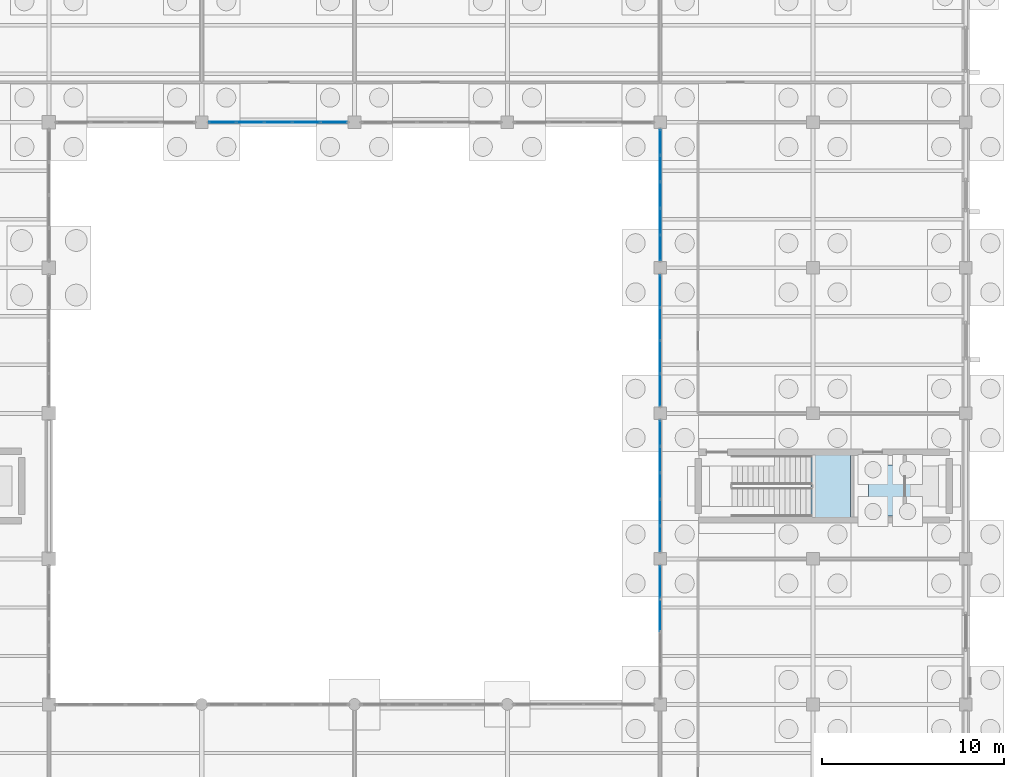
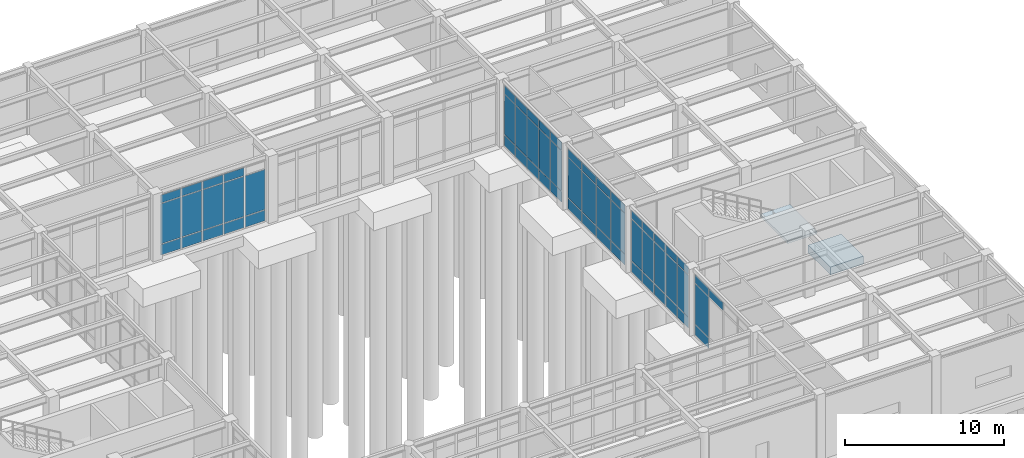
# One storey, part 73 of 138: 60 plates, 2 slabs, 6 elements without a shape of their own.
"""IFC4 building model written with IfcOpenShell, lengths in metres."""

from ifc_helpers import new_model, si_unit, direction, frame, origin, origin_2d, place, context, subcontext, project, spatial, polyline, rectangle, outline, extrude, material, layer, layer_set, type_object, element, aggregate, save


model = new_model("IFC4")

# Units and contexts
model_context = context("Model", 3, precision=1e-05, world=origin(), true_north=direction((0.0, 1.0)))
body_context = subcontext(model_context, "Body", "Model", "MODEL_VIEW")
ifc_project = project(units=[si_unit("LENGTHUNIT", "METRE"), si_unit("AREAUNIT", "SQUARE_METRE"), si_unit("VOLUMEUNIT", "CUBIC_METRE"), si_unit("PLANEANGLEUNIT", "RADIAN"), si_unit("MASSUNIT", "GRAM", prefix="KILO")], contexts=[model_context])

# Site, building, storey
site_placement = place(None, origin())
site = spatial("IfcSite", under=ifc_project, at=site_placement, CompositionType="ELEMENT")
building_placement = place(site_placement, origin())
building = spatial("IfcBuilding", under=site, at=building_placement, Name="Kranzveld Transit Interchange", CompositionType="ELEMENT")
storey_placement = place(building_placement, origin())
storey = spatial("IfcBuildingStorey", under=building, at=storey_placement, Name="L00", CompositionType="ELEMENT", Elevation=0.0)

# Curtain wall, plates
ifc_material_1 = material(Name="Bronze-anodised thermally broken aluminium", Category="aluminium")
ifc_layer_1 = layer(ifc_material_1, 0.159912109375)
ifc_layer_set_1 = layer_set([ifc_layer_1], Name="Bronze-anodised thermally broken aluminium")
curtain_wall_type_1 = type_object("IfcCurtainWallType", Name="Bus Boarding Glazed Screen CW-3", PredefinedType="USERDEFINED", material=ifc_layer_set_1)
curtain_wall_1_placement = place(storey_placement, origin())
curtain_wall_1 = element("IfcCurtainWall", 1, at=curtain_wall_1_placement, inside=storey, type_object=curtain_wall_type_1, Name="L00 Curtain Wall 19/L-19/M", ObjectType="CURTAIN WALL", PredefinedType="USERDEFINED")
ifc_material_2 = material(Name="Solar-control double glazing", Category="glass")
ifc_layer_2 = layer(ifc_material_2, 0.031982421875)
ifc_layer_set_2 = layer_set([ifc_layer_2], Name="Solar-control double glazing")
plate_type_1 = type_object("IfcPlateType", Name="Curtain Panel Acoustic Glazing 32", PredefinedType="CURTAIN_PANEL", material=ifc_layer_set_2)
plate_1_placement = place(storey_placement, frame((151.199951171875, 81.277587890625, 0.06005859375), z_axis=(0.0, 0.0, 1.0), x_axis=(0.0, 1.0, 0.0)))
plate_1 = element("IfcPlate", 2, at=plate_1_placement, type_object=plate_type_1, Name="CW-3 panel 1.1", PredefinedType="CURTAIN_PANEL", context=body_context, shape_type="SweptSolid", body=[
    extrude(rectangle(XDim=1.735107421875, YDim=0.031982421875, at=origin_2d()), origin(), (0.0, 0.0, 1.0), 0.81005859375),
])
plate_2_placement = place(storey_placement, frame((151.199951171875, 81.277587890625, 0.929931640625), z_axis=(0.0, 0.0, 1.0), x_axis=(0.0, 1.0, 0.0)))
plate_2 = element("IfcPlate", 3, at=plate_2_placement, type_object=plate_type_1, Name="CW-3 panel 1.2", PredefinedType="CURTAIN_PANEL", context=body_context, shape_type="SweptSolid", body=[
    extrude(rectangle(XDim=1.735107421875, YDim=0.031982421875, at=origin_2d()), origin(), (0.0, 0.0, 1.0), 3.08740234375),
])
plate_3_placement = place(storey_placement, frame((151.199951171875, 81.277587890625, 4.0771484375), z_axis=(0.0, 0.0, 1.0), x_axis=(0.0, 1.0, 0.0)))
plate_3 = element("IfcPlate", 4, at=plate_3_placement, type_object=plate_type_1, Name="CW-3 panel 1.3", PredefinedType="CURTAIN_PANEL", context=body_context, shape_type="SweptSolid", body=[
    extrude(rectangle(XDim=1.735107421875, YDim=0.031982421875, at=origin_2d()), origin(), (0.0, 0.0, 1.0), 0.610107421875),
])
plate_4_placement = place(storey_placement, frame((151.199951171875, 83.08740234375, 0.06005859375), z_axis=(0.0, 0.0, 1.0), x_axis=(0.0, 1.0, 0.0)))
plate_4 = element("IfcPlate", 5, at=plate_4_placement, type_object=plate_type_1, Name="CW-3 panel 2.1", PredefinedType="CURTAIN_PANEL", context=body_context, shape_type="SweptSolid", body=[
    extrude(rectangle(XDim=1.764892578125, YDim=0.031982421875, at=origin_2d()), origin(), (0.0, 0.0, 1.0), 0.81005859375),
])
plate_5_placement = place(storey_placement, frame((151.199951171875, 83.08740234375, 0.929931640625), z_axis=(0.0, 0.0, 1.0), x_axis=(0.0, 1.0, 0.0)))
plate_5 = element("IfcPlate", 6, at=plate_5_placement, type_object=plate_type_1, Name="CW-3 panel 2.2", PredefinedType="CURTAIN_PANEL", context=body_context, shape_type="SweptSolid", body=[
    extrude(rectangle(XDim=1.764892578125, YDim=0.031982421875, at=origin_2d()), origin(), (0.0, 0.0, 1.0), 3.08740234375),
])
plate_6_placement = place(storey_placement, frame((151.199951171875, 83.08740234375, 4.0771484375), z_axis=(0.0, 0.0, 1.0), x_axis=(0.0, 1.0, 0.0)))
plate_6 = element("IfcPlate", 7, at=plate_6_placement, type_object=plate_type_1, Name="CW-3 panel 2.3", PredefinedType="CURTAIN_PANEL", context=body_context, shape_type="SweptSolid", body=[
    extrude(rectangle(XDim=1.764892578125, YDim=0.031982421875, at=origin_2d()), origin(), (0.0, 0.0, 1.0), 0.610107421875),
])
plate_7_placement = place(storey_placement, frame((151.199951171875, 84.91259765625, 0.06005859375), z_axis=(0.0, 0.0, 1.0), x_axis=(0.0, 1.0, 0.0)))
plate_7 = element("IfcPlate", 8, at=plate_7_placement, type_object=plate_type_1, Name="CW-3 panel 3.1", PredefinedType="CURTAIN_PANEL", context=body_context, shape_type="SweptSolid", body=[
    extrude(rectangle(XDim=1.764892578125, YDim=0.031982421875, at=origin_2d()), origin(), (0.0, 0.0, 1.0), 0.81005859375),
])
plate_8_placement = place(storey_placement, frame((151.199951171875, 84.91259765625, 0.929931640625), z_axis=(0.0, 0.0, 1.0), x_axis=(0.0, 1.0, 0.0)))
plate_8 = element("IfcPlate", 9, at=plate_8_placement, type_object=plate_type_1, Name="CW-3 panel 3.2", PredefinedType="CURTAIN_PANEL", context=body_context, shape_type="SweptSolid", body=[
    extrude(rectangle(XDim=1.764892578125, YDim=0.031982421875, at=origin_2d()), origin(), (0.0, 0.0, 1.0), 3.08740234375),
])
plate_9_placement = place(storey_placement, frame((151.199951171875, 84.91259765625, 4.0771484375), z_axis=(0.0, 0.0, 1.0), x_axis=(0.0, 1.0, 0.0)))
plate_9 = element("IfcPlate", 10, at=plate_9_placement, type_object=plate_type_1, Name="CW-3 panel 3.3", PredefinedType="CURTAIN_PANEL", context=body_context, shape_type="SweptSolid", body=[
    extrude(rectangle(XDim=1.764892578125, YDim=0.031982421875, at=origin_2d()), origin(), (0.0, 0.0, 1.0), 0.610107421875),
])
plate_10_placement = place(storey_placement, frame((151.199951171875, 86.722412109375, 0.06005859375), z_axis=(0.0, 0.0, 1.0), x_axis=(0.0, 1.0, 0.0)))
plate_10 = element("IfcPlate", 11, at=plate_10_placement, type_object=plate_type_1, Name="CW-3 panel 4.1", PredefinedType="CURTAIN_PANEL", context=body_context, shape_type="SweptSolid", body=[
    extrude(rectangle(XDim=1.735107421875, YDim=0.031982421875, at=origin_2d()), origin(), (0.0, 0.0, 1.0), 0.81005859375),
])
plate_11_placement = place(storey_placement, frame((151.199951171875, 86.722412109375, 0.929931640625), z_axis=(0.0, 0.0, 1.0), x_axis=(0.0, 1.0, 0.0)))
plate_11 = element("IfcPlate", 12, at=plate_11_placement, type_object=plate_type_1, Name="CW-3 panel 4.2", PredefinedType="CURTAIN_PANEL", context=body_context, shape_type="SweptSolid", body=[
    extrude(rectangle(XDim=1.735107421875, YDim=0.031982421875, at=origin_2d()), origin(), (0.0, 0.0, 1.0), 3.08740234375),
])
plate_12_placement = place(storey_placement, frame((151.199951171875, 86.722412109375, 4.0771484375), z_axis=(0.0, 0.0, 1.0), x_axis=(0.0, 1.0, 0.0)))
plate_12 = element("IfcPlate", 13, at=plate_12_placement, type_object=plate_type_1, Name="CW-3 panel 4.3", PredefinedType="CURTAIN_PANEL", context=body_context, shape_type="SweptSolid", body=[
    extrude(rectangle(XDim=1.735107421875, YDim=0.031982421875, at=origin_2d()), origin(), (0.0, 0.0, 1.0), 0.610107421875),
])
aggregate(curtain_wall_1, [plate_1, plate_2, plate_3, plate_4, plate_5, plate_6, plate_7, plate_8, plate_9, plate_10, plate_11, plate_12])

ifc_material_3 = material(Name="Bronze-anodised thermally broken aluminium", Category="aluminium")
ifc_layer_3 = layer(ifc_material_3, 0.1650390625)
ifc_layer_set_3 = layer_set([ifc_layer_3], Name="Bronze-anodised thermally broken aluminium")
curtain_wall_type_2 = type_object("IfcCurtainWallType", Name="Sunny Court Arcade Curtain Wall CW-2", PredefinedType="USERDEFINED", material=ifc_layer_set_3)
curtain_wall_2_placement = place(storey_placement, origin())
curtain_wall_2 = element("IfcCurtainWall", 14, at=curtain_wall_2_placement, inside=storey, type_object=curtain_wall_type_2, Name="L00 Curtain Wall 19/K-19/L", ObjectType="CURTAIN WALL", PredefinedType="USERDEFINED")
ifc_material_4 = material(Name="Solar-control double glazing", Category="glass")
ifc_layer_4 = layer(ifc_material_4, 0.02392578125)
ifc_layer_set_4 = layer_set([ifc_layer_4], Name="Solar-control double glazing")
plate_type_2 = type_object("IfcPlateType", Name="Curtain Panel Clear Glazing 24", PredefinedType="CURTAIN_PANEL", material=ifc_layer_set_4)
plate_13_placement = place(storey_placement, frame((151.199951171875, 73.09619140625, 0.06005859375), z_axis=(0.0, 0.0, 1.0), x_axis=(0.0, 1.0, 0.0)))
plate_13 = element("IfcPlate", 15, at=plate_13_placement, type_object=plate_type_2, Name="CW-2 panel 1.1", PredefinedType="CURTAIN_PANEL", context=body_context, shape_type="SweptSolid", body=[
    extrude(rectangle(XDim=1.362548828125, YDim=0.02392578125, at=origin_2d()), origin(), (0.0, 0.0, 1.0), 0.81005859375),
])
plate_14_placement = place(storey_placement, frame((151.199951171875, 73.09619140625, 0.929931640625), z_axis=(0.0, 0.0, 1.0), x_axis=(0.0, 1.0, 0.0)))
plate_14 = element("IfcPlate", 16, at=plate_14_placement, type_object=plate_type_2, Name="CW-2 panel 1.2", PredefinedType="CURTAIN_PANEL", context=body_context, shape_type="SweptSolid", body=[
    extrude(rectangle(XDim=1.362548828125, YDim=0.02392578125, at=origin_2d()), origin(), (0.0, 0.0, 1.0), 3.18994140625),
])
plate_15_placement = place(storey_placement, frame((151.199951171875, 73.09619140625, 4.18017578125), z_axis=(0.0, 0.0, 1.0), x_axis=(0.0, 1.0, 0.0)))
plate_15 = element("IfcPlate", 17, at=plate_15_placement, type_object=plate_type_2, Name="CW-2 panel 1.3", PredefinedType="CURTAIN_PANEL", context=body_context, shape_type="SweptSolid", body=[
    extrude(rectangle(XDim=1.362548828125, YDim=0.02392578125, at=origin_2d()), origin(), (0.0, 0.0, 1.0), 0.610107421875),
])
plate_16_placement = place(storey_placement, frame((151.199951171875, 74.5400390625, 0.06005859375), z_axis=(0.0, 0.0, 1.0), x_axis=(0.0, 1.0, 0.0)))
plate_16 = element("IfcPlate", 18, at=plate_16_placement, type_object=plate_type_2, Name="CW-2 panel 2.1", PredefinedType="CURTAIN_PANEL", context=body_context, shape_type="SweptSolid", body=[
    extrude(rectangle(XDim=1.39501953125, YDim=0.02392578125, at=origin_2d()), origin(), (0.0, 0.0, 1.0), 0.81005859375),
])
plate_17_placement = place(storey_placement, frame((151.199951171875, 74.5400390625, 0.929931640625), z_axis=(0.0, 0.0, 1.0), x_axis=(0.0, 1.0, 0.0)))
plate_17 = element("IfcPlate", 19, at=plate_17_placement, type_object=plate_type_2, Name="CW-2 panel 2.2", PredefinedType="CURTAIN_PANEL", context=body_context, shape_type="SweptSolid", body=[
    extrude(rectangle(XDim=1.39501953125, YDim=0.02392578125, at=origin_2d()), origin(), (0.0, 0.0, 1.0), 3.18994140625),
])
plate_18_placement = place(storey_placement, frame((151.199951171875, 74.5400390625, 4.18017578125), z_axis=(0.0, 0.0, 1.0), x_axis=(0.0, 1.0, 0.0)))
plate_18 = element("IfcPlate", 20, at=plate_18_placement, type_object=plate_type_2, Name="CW-2 panel 2.3", PredefinedType="CURTAIN_PANEL", context=body_context, shape_type="SweptSolid", body=[
    extrude(rectangle(XDim=1.39501953125, YDim=0.02392578125, at=origin_2d()), origin(), (0.0, 0.0, 1.0), 0.610107421875),
])
plate_19_placement = place(storey_placement, frame((151.199951171875, 76.0, 0.06005859375), z_axis=(0.0, 0.0, 1.0), x_axis=(0.0, 1.0, 0.0)))
plate_19 = element("IfcPlate", 21, at=plate_19_placement, type_object=plate_type_2, Name="CW-2 panel 3.1", PredefinedType="CURTAIN_PANEL", context=body_context, shape_type="SweptSolid", body=[
    extrude(rectangle(XDim=1.39501953125, YDim=0.02392578125, at=origin_2d()), origin(), (0.0, 0.0, 1.0), 0.81005859375),
])
plate_20_placement = place(storey_placement, frame((151.199951171875, 76.0, 0.929931640625), z_axis=(0.0, 0.0, 1.0), x_axis=(0.0, 1.0, 0.0)))
plate_20 = element("IfcPlate", 22, at=plate_20_placement, type_object=plate_type_2, Name="CW-2 panel 3.2", PredefinedType="CURTAIN_PANEL", context=body_context, shape_type="SweptSolid", body=[
    extrude(rectangle(XDim=1.39501953125, YDim=0.02392578125, at=origin_2d()), origin(), (0.0, 0.0, 1.0), 3.18994140625),
])
plate_21_placement = place(storey_placement, frame((151.199951171875, 76.0, 4.18017578125), z_axis=(0.0, 0.0, 1.0), x_axis=(0.0, 1.0, 0.0)))
plate_21 = element("IfcPlate", 23, at=plate_21_placement, type_object=plate_type_2, Name="CW-2 panel 3.3", PredefinedType="CURTAIN_PANEL", context=body_context, shape_type="SweptSolid", body=[
    extrude(rectangle(XDim=1.39501953125, YDim=0.02392578125, at=origin_2d()), origin(), (0.0, 0.0, 1.0), 0.610107421875),
])
plate_22_placement = place(storey_placement, frame((151.199951171875, 77.4599609375, 0.06005859375), z_axis=(0.0, 0.0, 1.0), x_axis=(0.0, 1.0, 0.0)))
plate_22 = element("IfcPlate", 24, at=plate_22_placement, type_object=plate_type_2, Name="CW-2 panel 4.1", PredefinedType="CURTAIN_PANEL", context=body_context, shape_type="SweptSolid", body=[
    extrude(rectangle(XDim=1.39501953125, YDim=0.02392578125, at=origin_2d()), origin(), (0.0, 0.0, 1.0), 0.81005859375),
])
plate_23_placement = place(storey_placement, frame((151.199951171875, 77.4599609375, 0.929931640625), z_axis=(0.0, 0.0, 1.0), x_axis=(0.0, 1.0, 0.0)))
plate_23 = element("IfcPlate", 25, at=plate_23_placement, type_object=plate_type_2, Name="CW-2 panel 4.2", PredefinedType="CURTAIN_PANEL", context=body_context, shape_type="SweptSolid", body=[
    extrude(rectangle(XDim=1.39501953125, YDim=0.02392578125, at=origin_2d()), origin(), (0.0, 0.0, 1.0), 3.18994140625),
])
plate_24_placement = place(storey_placement, frame((151.199951171875, 77.4599609375, 4.18017578125), z_axis=(0.0, 0.0, 1.0), x_axis=(0.0, 1.0, 0.0)))
plate_24 = element("IfcPlate", 26, at=plate_24_placement, type_object=plate_type_2, Name="CW-2 panel 4.3", PredefinedType="CURTAIN_PANEL", context=body_context, shape_type="SweptSolid", body=[
    extrude(rectangle(XDim=1.39501953125, YDim=0.02392578125, at=origin_2d()), origin(), (0.0, 0.0, 1.0), 0.610107421875),
])
plate_25_placement = place(storey_placement, frame((151.199951171875, 78.90380859375, 0.06005859375), z_axis=(0.0, 0.0, 1.0), x_axis=(0.0, 1.0, 0.0)))
plate_25 = element("IfcPlate", 27, at=plate_25_placement, type_object=plate_type_2, Name="CW-2 panel 5.1", PredefinedType="CURTAIN_PANEL", context=body_context, shape_type="SweptSolid", body=[
    extrude(rectangle(XDim=1.362548828125, YDim=0.02392578125, at=origin_2d()), origin(), (0.0, 0.0, 1.0), 0.81005859375),
])
plate_26_placement = place(storey_placement, frame((151.199951171875, 78.90380859375, 0.929931640625), z_axis=(0.0, 0.0, 1.0), x_axis=(0.0, 1.0, 0.0)))
plate_26 = element("IfcPlate", 28, at=plate_26_placement, type_object=plate_type_2, Name="CW-2 panel 5.2", PredefinedType="CURTAIN_PANEL", context=body_context, shape_type="SweptSolid", body=[
    extrude(rectangle(XDim=1.362548828125, YDim=0.02392578125, at=origin_2d()), origin(), (0.0, 0.0, 1.0), 3.18994140625),
])
plate_27_placement = place(storey_placement, frame((151.199951171875, 78.90380859375, 4.18017578125), z_axis=(0.0, 0.0, 1.0), x_axis=(0.0, 1.0, 0.0)))
plate_27 = element("IfcPlate", 29, at=plate_27_placement, type_object=plate_type_2, Name="CW-2 panel 5.3", PredefinedType="CURTAIN_PANEL", context=body_context, shape_type="SweptSolid", body=[
    extrude(rectangle(XDim=1.362548828125, YDim=0.02392578125, at=origin_2d()), origin(), (0.0, 0.0, 1.0), 0.610107421875),
])
aggregate(curtain_wall_2, [plate_13, plate_14, plate_15, plate_16, plate_17, plate_18, plate_19, plate_20, plate_21, plate_22, plate_23, plate_24, plate_25, plate_26, plate_27])

ifc_material_5 = material(Name="Bronze-anodised thermally broken aluminium", Category="aluminium")
ifc_layer_5 = layer(ifc_material_5, 0.179931640625)
ifc_layer_set_5 = layer_set([ifc_layer_5], Name="Bronze-anodised thermally broken aluminium")
curtain_wall_type_3 = type_object("IfcCurtainWallType", Name="Concourse Unitised Curtain Wall CW-1", PredefinedType="USERDEFINED", material=ifc_layer_set_5)
curtain_wall_3_placement = place(storey_placement, origin())
curtain_wall_3 = element("IfcCurtainWall", 30, at=curtain_wall_3_placement, inside=storey, type_object=curtain_wall_type_3, Name="L00 Curtain Wall 19/J-19/K", ObjectType="CURTAIN WALL", PredefinedType="USERDEFINED")
ifc_material_6 = material(Name="Solar-control double glazing", Category="glass")
ifc_layer_6 = layer(ifc_material_6, 0.028076171875)
ifc_layer_set_6 = layer_set([ifc_layer_6], Name="Solar-control double glazing")
plate_type_3 = type_object("IfcPlateType", Name="Curtain Panel Double Glazing 28", PredefinedType="CURTAIN_PANEL", material=ifc_layer_set_6)
plate_28_placement = place(storey_placement, frame((151.199951171875, 68.91259765625, 4.079833984375), z_axis=(0.0, 0.0, 1.0), x_axis=(0.0, 1.0, 0.0)))
plate_28 = element("IfcPlate", 31, at=plate_28_placement, type_object=plate_type_3, Name="CW-1 panel 3.3", PredefinedType="CURTAIN_PANEL", context=body_context, shape_type="SweptSolid", body=[
    extrude(rectangle(XDim=1.760009765625, YDim=0.028076171875, at=origin_2d()), origin(), (0.0, 0.0, 1.0), 0.6025390625),
])
plate_29_placement = place(storey_placement, frame((151.199951171875, 70.72119140625, 0.06494140625), z_axis=(0.0, 0.0, 1.0), x_axis=(0.0, 1.0, 0.0)))
plate_29 = element("IfcPlate", 32, at=plate_29_placement, type_object=plate_type_3, Name="CW-1 panel 4.1", PredefinedType="CURTAIN_PANEL", context=body_context, shape_type="SweptSolid", body=[
    extrude(rectangle(XDim=1.7275390625, YDim=0.028076171875, at=origin_2d()), origin(), (0.0, 0.0, 1.0), 0.802490234375),
])
plate_30_placement = place(storey_placement, frame((151.199951171875, 70.72119140625, 0.932373046875), z_axis=(0.0, 0.0, 1.0), x_axis=(0.0, 1.0, 0.0)))
plate_30 = element("IfcPlate", 33, at=plate_30_placement, type_object=plate_type_3, Name="CW-1 panel 4.2", PredefinedType="CURTAIN_PANEL", context=body_context, shape_type="SweptSolid", body=[
    extrude(rectangle(XDim=1.7275390625, YDim=0.028076171875, at=origin_2d()), origin(), (0.0, 0.0, 1.0), 3.08251953125),
])
plate_31_placement = place(storey_placement, frame((151.199951171875, 70.72119140625, 4.079833984375), z_axis=(0.0, 0.0, 1.0), x_axis=(0.0, 1.0, 0.0)))
plate_31 = element("IfcPlate", 34, at=plate_31_placement, type_object=plate_type_3, Name="CW-1 panel 4.3", PredefinedType="CURTAIN_PANEL", context=body_context, shape_type="SweptSolid", body=[
    extrude(rectangle(XDim=1.7275390625, YDim=0.028076171875, at=origin_2d()), origin(), (0.0, 0.0, 1.0), 0.6025390625),
])
aggregate(curtain_wall_3, [plate_28, plate_29, plate_30, plate_31])

ifc_material_7 = material(Name="Bronze-anodised thermally broken aluminium", Category="aluminium")
ifc_layer_7 = layer(ifc_material_7, 0.14990234375)
ifc_layer_set_7 = layer_set([ifc_layer_7], Name="Bronze-anodised thermally broken aluminium")
curtain_wall_type_4 = type_object("IfcCurtainWallType", Name="Public Passage Clerestory Screen CW-4", PredefinedType="USERDEFINED", material=ifc_layer_set_7)
curtain_wall_4_placement = place(storey_placement, origin())
curtain_wall_4 = element("IfcCurtainWall", 35, at=curtain_wall_4_placement, inside=storey, type_object=curtain_wall_type_4, Name="L00 Curtain Wall 19/M-19/N", ObjectType="CURTAIN WALL", PredefinedType="USERDEFINED")
ifc_material_8 = material(Name="Solar-control double glazing", Category="glass")
ifc_layer_8 = layer(ifc_material_8, 0.0419921875)
ifc_layer_set_8 = layer_set([ifc_layer_8], Name="Solar-control double glazing")
plate_type_4 = type_object("IfcPlateType", Name="Curtain Panel Laminated Glazing 42", PredefinedType="CURTAIN_PANEL", material=ifc_layer_set_8)
plate_32_placement = place(storey_placement, frame((151.199951171875, 89.094970703125, 0.06005859375), z_axis=(0.0, 0.0, 1.0), x_axis=(0.0, 1.0, 0.0)))
plate_32 = element("IfcPlate", 36, at=plate_32_placement, type_object=plate_type_4, Name="CW-4 panel 1.1", PredefinedType="CURTAIN_PANEL", context=body_context, shape_type="SweptSolid", body=[
    extrude(rectangle(XDim=1.3701171875, YDim=0.0419921875, at=origin_2d()), origin(), (0.0, 0.0, 1.0), 0.81005859375),
])
plate_33_placement = place(storey_placement, frame((151.199951171875, 89.094970703125, 0.929931640625), z_axis=(0.0, 0.0, 1.0), x_axis=(0.0, 1.0, 0.0)))
plate_33 = element("IfcPlate", 37, at=plate_33_placement, type_object=plate_type_4, Name="CW-4 panel 1.2", PredefinedType="CURTAIN_PANEL", context=body_context, shape_type="SweptSolid", body=[
    extrude(rectangle(XDim=1.3701171875, YDim=0.0419921875, at=origin_2d()), origin(), (0.0, 0.0, 1.0), 3.08740234375),
])
plate_34_placement = place(storey_placement, frame((151.199951171875, 89.094970703125, 4.0771484375), z_axis=(0.0, 0.0, 1.0), x_axis=(0.0, 1.0, 0.0)))
plate_34 = element("IfcPlate", 38, at=plate_34_placement, type_object=plate_type_4, Name="CW-4 panel 1.3", PredefinedType="CURTAIN_PANEL", context=body_context, shape_type="SweptSolid", body=[
    extrude(rectangle(XDim=1.3701171875, YDim=0.0419921875, at=origin_2d()), origin(), (0.0, 0.0, 1.0), 0.610107421875),
])
plate_35_placement = place(storey_placement, frame((151.199951171875, 90.5400390625, 0.06005859375), z_axis=(0.0, 0.0, 1.0), x_axis=(0.0, 1.0, 0.0)))
plate_35 = element("IfcPlate", 39, at=plate_35_placement, type_object=plate_type_4, Name="CW-4 panel 2.1", PredefinedType="CURTAIN_PANEL", context=body_context, shape_type="SweptSolid", body=[
    extrude(rectangle(XDim=1.39990234375, YDim=0.0419921875, at=origin_2d()), origin(), (0.0, 0.0, 1.0), 0.81005859375),
])
plate_36_placement = place(storey_placement, frame((151.199951171875, 90.5400390625, 0.929931640625), z_axis=(0.0, 0.0, 1.0), x_axis=(0.0, 1.0, 0.0)))
plate_36 = element("IfcPlate", 40, at=plate_36_placement, type_object=plate_type_4, Name="CW-4 panel 2.2", PredefinedType="CURTAIN_PANEL", context=body_context, shape_type="SweptSolid", body=[
    extrude(rectangle(XDim=1.39990234375, YDim=0.0419921875, at=origin_2d()), origin(), (0.0, 0.0, 1.0), 3.08740234375),
])
plate_37_placement = place(storey_placement, frame((151.199951171875, 90.5400390625, 4.0771484375), z_axis=(0.0, 0.0, 1.0), x_axis=(0.0, 1.0, 0.0)))
plate_37 = element("IfcPlate", 41, at=plate_37_placement, type_object=plate_type_4, Name="CW-4 panel 2.3", PredefinedType="CURTAIN_PANEL", context=body_context, shape_type="SweptSolid", body=[
    extrude(rectangle(XDim=1.39990234375, YDim=0.0419921875, at=origin_2d()), origin(), (0.0, 0.0, 1.0), 0.610107421875),
])
plate_38_placement = place(storey_placement, frame((151.199951171875, 92.0, 0.06005859375), z_axis=(0.0, 0.0, 1.0), x_axis=(0.0, 1.0, 0.0)))
plate_38 = element("IfcPlate", 42, at=plate_38_placement, type_object=plate_type_4, Name="CW-4 panel 3.1", PredefinedType="CURTAIN_PANEL", context=body_context, shape_type="SweptSolid", body=[
    extrude(rectangle(XDim=1.39990234375, YDim=0.0419921875, at=origin_2d()), origin(), (0.0, 0.0, 1.0), 0.81005859375),
])
plate_39_placement = place(storey_placement, frame((151.199951171875, 92.0, 0.929931640625), z_axis=(0.0, 0.0, 1.0), x_axis=(0.0, 1.0, 0.0)))
plate_39 = element("IfcPlate", 43, at=plate_39_placement, type_object=plate_type_4, Name="CW-4 panel 3.2", PredefinedType="CURTAIN_PANEL", context=body_context, shape_type="SweptSolid", body=[
    extrude(rectangle(XDim=1.39990234375, YDim=0.0419921875, at=origin_2d()), origin(), (0.0, 0.0, 1.0), 3.08740234375),
])
plate_40_placement = place(storey_placement, frame((151.199951171875, 92.0, 4.0771484375), z_axis=(0.0, 0.0, 1.0), x_axis=(0.0, 1.0, 0.0)))
plate_40 = element("IfcPlate", 44, at=plate_40_placement, type_object=plate_type_4, Name="CW-4 panel 3.3", PredefinedType="CURTAIN_PANEL", context=body_context, shape_type="SweptSolid", body=[
    extrude(rectangle(XDim=1.39990234375, YDim=0.0419921875, at=origin_2d()), origin(), (0.0, 0.0, 1.0), 0.610107421875),
])
plate_41_placement = place(storey_placement, frame((151.199951171875, 93.4599609375, 0.06005859375), z_axis=(0.0, 0.0, 1.0), x_axis=(0.0, 1.0, 0.0)))
plate_41 = element("IfcPlate", 45, at=plate_41_placement, type_object=plate_type_4, Name="CW-4 panel 4.1", PredefinedType="CURTAIN_PANEL", context=body_context, shape_type="SweptSolid", body=[
    extrude(rectangle(XDim=1.39990234375, YDim=0.0419921875, at=origin_2d()), origin(), (0.0, 0.0, 1.0), 0.81005859375),
])
plate_42_placement = place(storey_placement, frame((151.199951171875, 93.4599609375, 0.929931640625), z_axis=(0.0, 0.0, 1.0), x_axis=(0.0, 1.0, 0.0)))
plate_42 = element("IfcPlate", 46, at=plate_42_placement, type_object=plate_type_4, Name="CW-4 panel 4.2", PredefinedType="CURTAIN_PANEL", context=body_context, shape_type="SweptSolid", body=[
    extrude(rectangle(XDim=1.39990234375, YDim=0.0419921875, at=origin_2d()), origin(), (0.0, 0.0, 1.0), 3.08740234375),
])
plate_43_placement = place(storey_placement, frame((151.199951171875, 93.4599609375, 4.0771484375), z_axis=(0.0, 0.0, 1.0), x_axis=(0.0, 1.0, 0.0)))
plate_43 = element("IfcPlate", 47, at=plate_43_placement, type_object=plate_type_4, Name="CW-4 panel 4.3", PredefinedType="CURTAIN_PANEL", context=body_context, shape_type="SweptSolid", body=[
    extrude(rectangle(XDim=1.39990234375, YDim=0.0419921875, at=origin_2d()), origin(), (0.0, 0.0, 1.0), 0.610107421875),
])
plate_44_placement = place(storey_placement, frame((151.199951171875, 94.905029296875, 0.06005859375), z_axis=(0.0, 0.0, 1.0), x_axis=(0.0, 1.0, 0.0)))
plate_44 = element("IfcPlate", 48, at=plate_44_placement, type_object=plate_type_4, Name="CW-4 panel 5.1", PredefinedType="CURTAIN_PANEL", context=body_context, shape_type="SweptSolid", body=[
    extrude(rectangle(XDim=1.3701171875, YDim=0.0419921875, at=origin_2d()), origin(), (0.0, 0.0, 1.0), 0.81005859375),
])
plate_45_placement = place(storey_placement, frame((151.199951171875, 94.905029296875, 0.929931640625), z_axis=(0.0, 0.0, 1.0), x_axis=(0.0, 1.0, 0.0)))
plate_45 = element("IfcPlate", 49, at=plate_45_placement, type_object=plate_type_4, Name="CW-4 panel 5.2", PredefinedType="CURTAIN_PANEL", context=body_context, shape_type="SweptSolid", body=[
    extrude(rectangle(XDim=1.3701171875, YDim=0.0419921875, at=origin_2d()), origin(), (0.0, 0.0, 1.0), 3.08740234375),
])
plate_46_placement = place(storey_placement, frame((151.199951171875, 94.905029296875, 4.0771484375), z_axis=(0.0, 0.0, 1.0), x_axis=(0.0, 1.0, 0.0)))
plate_46 = element("IfcPlate", 50, at=plate_46_placement, type_object=plate_type_4, Name="CW-4 panel 5.3", PredefinedType="CURTAIN_PANEL", context=body_context, shape_type="SweptSolid", body=[
    extrude(rectangle(XDim=1.3701171875, YDim=0.0419921875, at=origin_2d()), origin(), (0.0, 0.0, 1.0), 0.610107421875),
])
aggregate(curtain_wall_4, [plate_32, plate_33, plate_34, plate_35, plate_36, plate_37, plate_38, plate_39, plate_40, plate_41, plate_42, plate_43, plate_44, plate_45, plate_46])

ifc_material_9 = material(Name="Bronze-anodised thermally broken aluminium", Category="aluminium")
ifc_layer_9 = layer(ifc_material_9, 0.155029296875)
ifc_layer_set_9 = layer_set([ifc_layer_9], Name="Bronze-anodised thermally broken aluminium")
curtain_wall_type_5 = type_object("IfcCurtainWallType", Name="Operations Courtyard Glazed Screen CW-6", PredefinedType="USERDEFINED", material=ifc_layer_set_9)
curtain_wall_5_placement = place(storey_placement, origin())
curtain_wall_5 = element("IfcCurtainWall", 51, at=curtain_wall_5_placement, inside=storey, type_object=curtain_wall_type_5, Name="L00 Curtain Wall 16/N-17/N", ObjectType="CURTAIN WALL", PredefinedType="USERDEFINED")
ifc_material_10 = material(Name="Ochre Pretoria sandstone cladding, 45 MPa", Category="masonry")
ifc_layer_10 = layer(ifc_material_10, 0.0458984375)
ifc_layer_set_10 = layer_set([ifc_layer_10], Name="Ochre Pretoria sandstone cladding, 45 MPa")
plate_type_5 = type_object("IfcPlateType", Name="Curtain Spandrel Sandstone 46", PredefinedType="CURTAIN_PANEL", material=ifc_layer_set_10)
plate_47_placement = place(storey_placement, frame((127.13623046875, 96.0, 0.06005859375), z_axis=(0.0, 0.0, 1.0), x_axis=(1.0, 0.0, 0.0)))
plate_47 = element("IfcPlate", 52, at=plate_47_placement, type_object=plate_type_5, Name="CW-6 panel 1.1", PredefinedType="CURTAIN_PANEL", context=body_context, shape_type="SweptSolid", body=[
    extrude(rectangle(XDim=1.4423828125, YDim=0.0458984375, at=origin_2d()), origin(), (0.0, 0.0, 1.0), 0.81005859375),
])
plate_48_placement = place(storey_placement, frame((127.13623046875, 96.0, 0.929931640625), z_axis=(0.0, 0.0, 1.0), x_axis=(1.0, 0.0, 0.0)))
plate_48 = element("IfcPlate", 53, at=plate_48_placement, type_object=plate_type_5, Name="CW-6 panel 1.2", PredefinedType="CURTAIN_PANEL", context=body_context, shape_type="SweptSolid", body=[
    extrude(rectangle(XDim=1.4423828125, YDim=0.0458984375, at=origin_2d()), origin(), (0.0, 0.0, 1.0), 3.08056640625),
])
plate_49_placement = place(storey_placement, frame((127.13623046875, 96.0, 4.0703125), z_axis=(0.0, 0.0, 1.0), x_axis=(1.0, 0.0, 0.0)))
plate_49 = element("IfcPlate", 54, at=plate_49_placement, type_object=plate_type_5, Name="CW-6 panel 1.3", PredefinedType="CURTAIN_PANEL", context=body_context, shape_type="SweptSolid", body=[
    extrude(rectangle(XDim=1.4423828125, YDim=0.0458984375, at=origin_2d()), origin(), (0.0, 0.0, 1.0), 0.610107421875),
])
plate_50_placement = place(storey_placement, frame((128.659912109375, 96.0, 0.06005859375), z_axis=(0.0, 0.0, 1.0), x_axis=(1.0, 0.0, 0.0)))
plate_50 = element("IfcPlate", 55, at=plate_50_placement, type_object=plate_type_5, Name="CW-6 panel 2.1", PredefinedType="CURTAIN_PANEL", context=body_context, shape_type="SweptSolid", body=[
    extrude(rectangle(XDim=1.47509765625, YDim=0.0458984375, at=origin_2d()), origin(), (0.0, 0.0, 1.0), 0.81005859375),
])
plate_51_placement = place(storey_placement, frame((128.659912109375, 96.0, 0.929931640625), z_axis=(0.0, 0.0, 1.0), x_axis=(1.0, 0.0, 0.0)))
plate_51 = element("IfcPlate", 56, at=plate_51_placement, type_object=plate_type_5, Name="CW-6 panel 2.2", PredefinedType="CURTAIN_PANEL", context=body_context, shape_type="SweptSolid", body=[
    extrude(rectangle(XDim=1.47509765625, YDim=0.0458984375, at=origin_2d()), origin(), (0.0, 0.0, 1.0), 3.08056640625),
])
plate_52_placement = place(storey_placement, frame((128.659912109375, 96.0, 4.0703125), z_axis=(0.0, 0.0, 1.0), x_axis=(1.0, 0.0, 0.0)))
plate_52 = element("IfcPlate", 57, at=plate_52_placement, type_object=plate_type_5, Name="CW-6 panel 2.3", PredefinedType="CURTAIN_PANEL", context=body_context, shape_type="SweptSolid", body=[
    extrude(rectangle(XDim=1.47509765625, YDim=0.0458984375, at=origin_2d()), origin(), (0.0, 0.0, 1.0), 0.610107421875),
])
plate_53_placement = place(storey_placement, frame((130.199951171875, 96.0, 0.06005859375), z_axis=(0.0, 0.0, 1.0), x_axis=(1.0, 0.0, 0.0)))
plate_53 = element("IfcPlate", 58, at=plate_53_placement, type_object=plate_type_5, Name="CW-6 panel 3.1", PredefinedType="CURTAIN_PANEL", context=body_context, shape_type="SweptSolid", body=[
    extrude(rectangle(XDim=1.47509765625, YDim=0.0458984375, at=origin_2d()), origin(), (0.0, 0.0, 1.0), 0.81005859375),
])
plate_54_placement = place(storey_placement, frame((130.199951171875, 96.0, 0.929931640625), z_axis=(0.0, 0.0, 1.0), x_axis=(1.0, 0.0, 0.0)))
plate_54 = element("IfcPlate", 59, at=plate_54_placement, type_object=plate_type_5, Name="CW-6 panel 3.2", PredefinedType="CURTAIN_PANEL", context=body_context, shape_type="SweptSolid", body=[
    extrude(rectangle(XDim=1.47509765625, YDim=0.0458984375, at=origin_2d()), origin(), (0.0, 0.0, 1.0), 3.08056640625),
])
plate_55_placement = place(storey_placement, frame((130.199951171875, 96.0, 4.0703125), z_axis=(0.0, 0.0, 1.0), x_axis=(1.0, 0.0, 0.0)))
plate_55 = element("IfcPlate", 60, at=plate_55_placement, type_object=plate_type_5, Name="CW-6 panel 3.3", PredefinedType="CURTAIN_PANEL", context=body_context, shape_type="SweptSolid", body=[
    extrude(rectangle(XDim=1.47509765625, YDim=0.0458984375, at=origin_2d()), origin(), (0.0, 0.0, 1.0), 0.610107421875),
])
plate_56_placement = place(storey_placement, frame((131.739990234375, 96.0, 0.06005859375), z_axis=(0.0, 0.0, 1.0), x_axis=(1.0, 0.0, 0.0)))
plate_56 = element("IfcPlate", 61, at=plate_56_placement, type_object=plate_type_5, Name="CW-6 panel 4.1", PredefinedType="CURTAIN_PANEL", context=body_context, shape_type="SweptSolid", body=[
    extrude(rectangle(XDim=1.47509765625, YDim=0.0458984375, at=origin_2d()), origin(), (0.0, 0.0, 1.0), 0.81005859375),
])
plate_57_placement = place(storey_placement, frame((131.739990234375, 96.0, 0.929931640625), z_axis=(0.0, 0.0, 1.0), x_axis=(1.0, 0.0, 0.0)))
plate_57 = element("IfcPlate", 62, at=plate_57_placement, type_object=plate_type_5, Name="CW-6 panel 4.2", PredefinedType="CURTAIN_PANEL", context=body_context, shape_type="SweptSolid", body=[
    extrude(rectangle(XDim=1.47509765625, YDim=0.0458984375, at=origin_2d()), origin(), (0.0, 0.0, 1.0), 3.08056640625),
])
plate_58_placement = place(storey_placement, frame((131.739990234375, 96.0, 4.0703125), z_axis=(0.0, 0.0, 1.0), x_axis=(1.0, 0.0, 0.0)))
plate_58 = element("IfcPlate", 63, at=plate_58_placement, type_object=plate_type_5, Name="CW-6 panel 4.3", PredefinedType="CURTAIN_PANEL", context=body_context, shape_type="SweptSolid", body=[
    extrude(rectangle(XDim=1.47509765625, YDim=0.0458984375, at=origin_2d()), origin(), (0.0, 0.0, 1.0), 0.610107421875),
])
plate_59_placement = place(storey_placement, frame((133.263671875, 96.0, 0.06005859375), z_axis=(0.0, 0.0, 1.0), x_axis=(1.0, 0.0, 0.0)))
plate_59 = element("IfcPlate", 64, at=plate_59_placement, type_object=plate_type_5, Name="CW-6 panel 5.1", PredefinedType="CURTAIN_PANEL", context=body_context, shape_type="SweptSolid", body=[
    extrude(rectangle(XDim=1.4423828125, YDim=0.0458984375, at=origin_2d()), origin(), (0.0, 0.0, 1.0), 0.81005859375),
])
plate_60_placement = place(storey_placement, frame((133.263671875, 96.0, 0.929931640625), z_axis=(0.0, 0.0, 1.0), x_axis=(1.0, 0.0, 0.0)))
plate_60 = element("IfcPlate", 65, at=plate_60_placement, type_object=plate_type_5, Name="CW-6 panel 5.2", PredefinedType="CURTAIN_PANEL", context=body_context, shape_type="SweptSolid", body=[
    extrude(rectangle(XDim=1.4423828125, YDim=0.0458984375, at=origin_2d()), origin(), (0.0, 0.0, 1.0), 3.08056640625),
])
aggregate(curtain_wall_5, [plate_47, plate_48, plate_49, plate_50, plate_51, plate_52, plate_53, plate_54, plate_55, plate_56, plate_57, plate_58, plate_59, plate_60])

# Slab
ifc_material_11 = material(Name="Concrete C40/50", Category="concrete")
ifc_layer_11 = layer(ifc_material_11, 0.60009765625)
ifc_layer_set_11 = layer_set([ifc_layer_11], Name="Concrete C40/50")
slab_type_1 = type_object("IfcSlabType", Name="Lift Pit Base Slab 600 C40/50", PredefinedType="BASESLAB", material=ifc_layer_set_11)
slab_1_placement = place(storey_placement, frame((0.0, 0.0, -1.02001953125)))
element("IfcSlab", 66, at=slab_1_placement, inside=storey, type_object=slab_type_1, Name="L00 Pit Base Slab PIT-C4", PredefinedType="BASESLAB", context=body_context, shape_type="SweptSolid", body=[
    extrude(outline(polyline([(162.64990234375, 74.35009765625), (165.050048828125, 74.35009765625), (165.050048828125, 77.14990234375), (162.64990234375, 77.14990234375), (162.64990234375, 74.35009765625)])), origin(), (0.0, 0.0, 1.0), 0.60009765625),
])

# Stair, slab
ifc_material_12 = material(Name="Concrete C35/45", Category="concrete")
stair_type = type_object("IfcStairType", Name="Dogleg Stair 1600W H5440 C35/45", PredefinedType="HALF_TURN_STAIR", material=ifc_material_12)
stair_placement = place(storey_placement, origin())
stair = element("IfcStair", 67, at=stair_placement, inside=storey, type_object=stair_type, Name="L00 Community East Core C4", PredefinedType="HALF_TURN_STAIR")
ifc_material_13 = material(Name="Concrete C35/45", Category="concrete")
ifc_layer_12 = layer(ifc_material_13, 0.199951171875)
ifc_layer_set_12 = layer_set([ifc_layer_12], Name="Concrete C35/45")
slab_type_2 = type_object("IfcSlabType", Name="Stair & Ramp Landing 200 C35/45", PredefinedType="LANDING", material=ifc_layer_set_12)
slab_2_placement = place(storey_placement, frame((0.0, 0.0, 2.52001953125)))
slab_2 = element("IfcSlab", 68, at=slab_2_placement, type_object=slab_type_2, Name="ST-V4B landing 1", PredefinedType="LANDING", context=body_context, shape_type="SweptSolid", body=[
    extrude(outline(polyline([(159.5, 74.284912109375), (161.64990234375, 74.284912109375), (161.64990234375, 77.715087890625), (159.5, 77.715087890625), (159.5, 74.284912109375)])), origin(), (0.0, 0.0, 1.0), 0.199951171875),
])
aggregate(stair, [slab_2])

save(model, "model.ifc")
